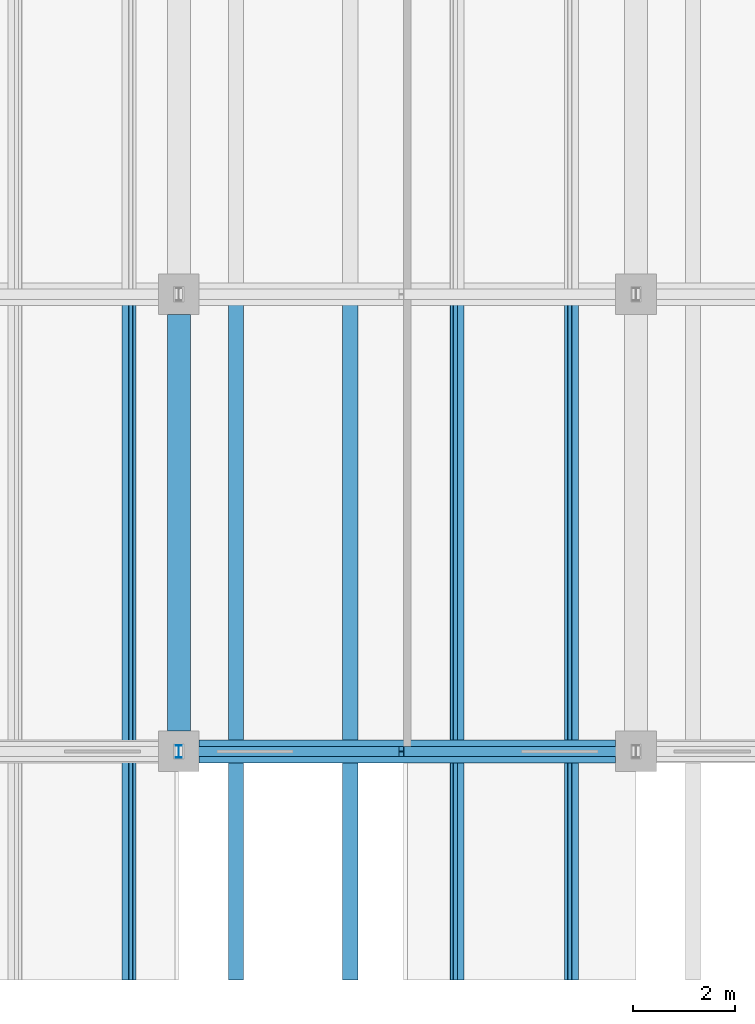
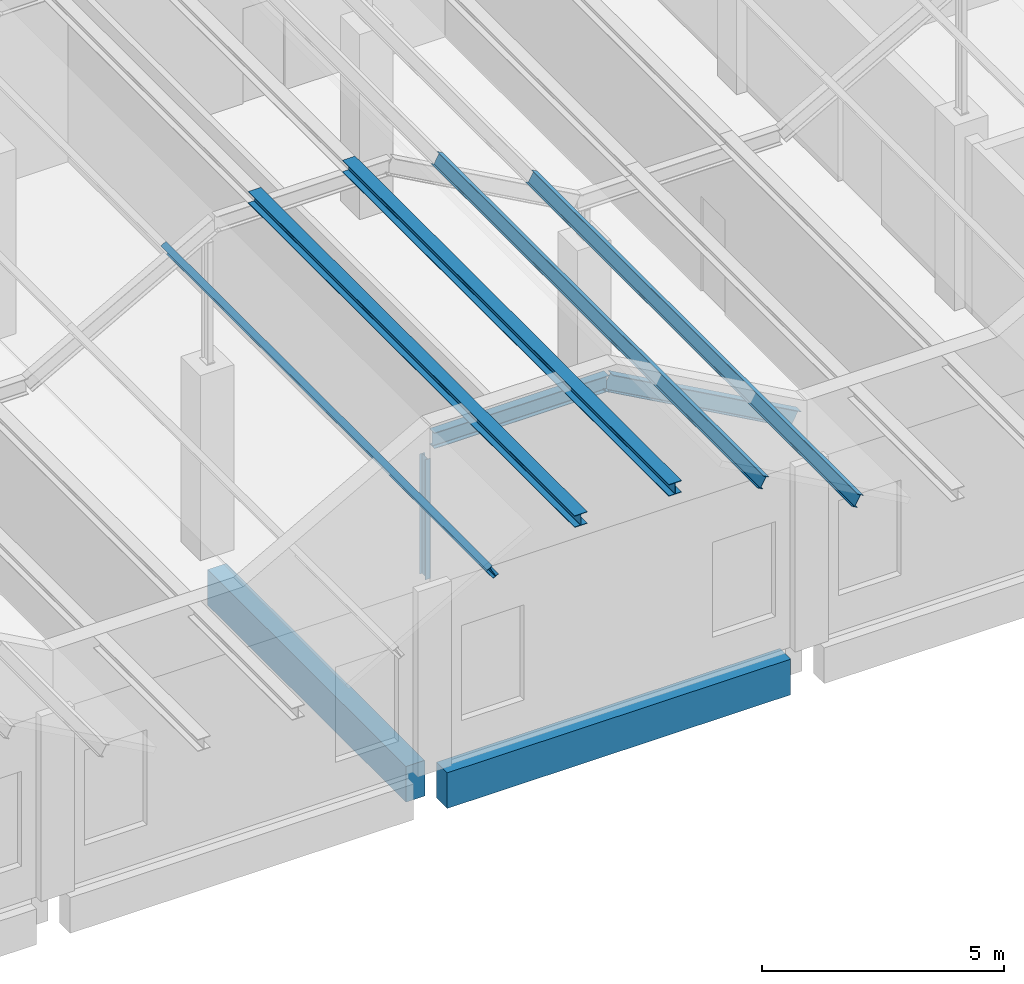
# One storey, part 19 of 437: 8 members, 2 beams.
"""IFC4 building model written with IfcOpenShell, lengths in metres."""

from ifc_helpers import new_model, si_unit, direction, frame, origin, origin_2d, place, context, subcontext, project, spatial, rectangle, i_section, extrude, material, material_profile, profile_set, type_object, element, save


model = new_model("IFC4")

# Units and contexts
model_context = context("Model", 3, precision=1e-05, world=origin(), true_north=direction((0.0, 1.0)))
body_context = subcontext(model_context, "Body", "Model", "MODEL_VIEW")
ifc_project = project(units=[si_unit("LENGTHUNIT", "METRE"), si_unit("AREAUNIT", "SQUARE_METRE"), si_unit("VOLUMEUNIT", "CUBIC_METRE"), si_unit("PLANEANGLEUNIT", "RADIAN"), si_unit("MASSUNIT", "GRAM", prefix="KILO")], contexts=[model_context])

# Site, building, storey
site_placement = place(None, origin())
site = spatial("IfcSite", under=ifc_project, at=site_placement, CompositionType="ELEMENT")
building_placement = place(site_placement, origin())
building = spatial("IfcBuilding", under=site, at=building_placement, Name="Opaline Strait Convention Centre", CompositionType="ELEMENT")
storey_placement = place(building_placement, frame((0.0, 0.0, 11.5)))
storey = spatial("IfcBuildingStorey", under=building, at=storey_placement, Name="L02", CompositionType="ELEMENT", Elevation=11.5)

# Members
ifc_material_1 = material(Name="Steel Q355B", Category="steel")
ifc_material_profile_1 = material_profile(ifc_material_1, i_section(OverallWidth=0.300048828125, OverallDepth=0.300048828125, WebThickness=0.010009765625, FlangeThickness=0.014892578125, FilletRadius=0.012939453125, at=origin_2d()), Name="HW 300x300x10x15")
ifc_profile_set_1 = profile_set([ifc_material_profile_1], Name="Steel Q355B")
member_type_1 = type_object("IfcMemberType", Name="Crest purlin HW 300x300x10x15", PredefinedType="PURLIN", material=ifc_profile_set_1)
for number, where, z_axis, x_axis, name in (
    (1, (46.125, 4.5, 8.449951171875), (0.0, 1.0, 0.0), (-1.0, 0.0, 0.0), "RU1 purlin facet 9 line 1"),
    (2, (48.375, 4.5, 8.449951171875), (0.0, 1.0, 0.0), (-1.0, 0.0, 0.0), "RU1 purlin facet 9 line 2"),
):
    element("IfcMember", number, at=place(storey_placement, frame(where, z_axis=z_axis, x_axis=x_axis)), inside=storey, type_object=member_type_1, Name=name, PredefinedType="PURLIN", context=body_context, shape_type="SweptSolid", body=[
        extrude(i_section(OverallWidth=0.300048828125, OverallDepth=0.300048828125, WebThickness=0.010009765625, FlangeThickness=0.014892578125, FilletRadius=0.012939453125, at=origin_2d()), origin(), (0.0, 0.0, 1.0), 13.5),
    ])

# Beams
ifc_material_2 = material(Name="Concrete C35", Category="concrete")
ifc_material_profile_2 = material_profile(ifc_material_2, rectangle(XDim=0.449951171875, YDim=0.89990234375, at=origin_2d()), Name="RC 450x900")
ifc_profile_set_2 = profile_set([ifc_material_profile_2], Name="Concrete C35")
beam_type = type_object("IfcBeamType", Name="RC beam 450x900 C35", PredefinedType="BEAM", material=ifc_profile_set_2)
for number, where, z_axis, x_axis, name in (
    (3, (45.39990234375, 9.0, -0.72998046875), (1.0, 0.0, 0.0), (0.0, 1.0, 0.0), "XB1 L02 45/9-54/9"),
    (4, (45.0, 9.39990234375, -0.72998046875), (0.0, 1.0, 0.0), (-1.0, 0.0, 0.0), "XB1 L02 45/9-45/18"),
):
    element("IfcBeam", number, at=place(storey_placement, frame(where, z_axis=z_axis, x_axis=x_axis)), inside=storey, type_object=beam_type, Name=name, PredefinedType="BEAM", context=body_context, shape_type="SweptSolid", body=[
        extrude(rectangle(XDim=0.449951171875, YDim=0.89990234375, at=origin_2d()), origin(), (0.0, 0.0, 1.0), 8.2001953125),
    ])

# Members
ifc_material_profile_3 = material_profile(ifc_material_1, i_section(OverallWidth=0.125, OverallDepth=0.25, WebThickness=0.006103515625, FlangeThickness=0.009033203125, FilletRadius=0.008056640625, at=origin_2d()), Name="HN 250x125x6x9")
ifc_profile_set_3 = profile_set([ifc_material_profile_3], Name="Steel Q355B")
member_type_2 = type_object("IfcMemberType", Name="Roof post HN 250x125x6x9", PredefinedType="STRUT", material=ifc_profile_set_3)
member_1_placement = place(storey_placement, frame((45.0, 9.0, 4.68994140625), z_axis=(0.0, 0.0, 1.0), x_axis=(1.0, 0.0, 0.0)))
element("IfcMember", 5, at=member_1_placement, inside=storey, type_object=member_type_2, Name="RP1 roof post at 45/9", PredefinedType="STRUT", context=body_context, shape_type="SweptSolid", body=[
    extrude(i_section(OverallWidth=0.125, OverallDepth=0.25, WebThickness=0.006103515625, FlangeThickness=0.009033203125, FilletRadius=0.008056640625, at=origin_2d()), origin(), (0.0, 0.0, 1.0), 3.031005859375),
])
ifc_material_profile_4 = material_profile(ifc_material_1, i_section(OverallWidth=0.14990234375, OverallDepth=0.300048828125, WebThickness=0.006591796875, FlangeThickness=0.009033203125, FilletRadius=0.012939453125, at=origin_2d()), Name="HN 300x150x6.5x9")
ifc_profile_set_4 = profile_set([ifc_material_profile_4], Name="Steel Q355B")
member_type_3 = type_object("IfcMemberType", Name="Roof purlin HN 300x150x6.5x9", PredefinedType="PURLIN", material=ifc_profile_set_4)
for number, where, z_axis, x_axis, name in (
    (6, (44.020751953125, 4.5, 7.86279296875), (0.0, 1.0, 0.0), (-0.874157310866, 0.0, -0.485642868639), "RU1 purlin facet 8 line 2"),
    (7, (50.479248046875, 4.5, 7.86279296875), (0.0, 1.0, 0.0), (-0.874157310866, 0.0, 0.485642868639), "RU1 purlin facet 10 line 1"),
    (8, (52.729248046875, 4.5, 6.61279296875), (0.0, 1.0, 0.0), (-0.874157310866, 0.0, 0.485642868639), "RU1 purlin facet 10 line 2"),
):
    element("IfcMember", number, at=place(storey_placement, frame(where, z_axis=z_axis, x_axis=x_axis)), inside=storey, type_object=member_type_3, Name=name, PredefinedType="PURLIN", context=body_context, shape_type="SweptSolid", body=[
        extrude(i_section(OverallWidth=0.14990234375, OverallDepth=0.300048828125, WebThickness=0.006591796875, FlangeThickness=0.009033203125, FilletRadius=0.012939453125, at=origin_2d()), origin(), (0.0, 0.0, 1.0), 13.5),
    ])
ifc_material_profile_5 = material_profile(ifc_material_1, i_section(OverallWidth=0.199951171875, OverallDepth=0.39990234375, WebThickness=0.008056640625, FlangeThickness=0.012939453125, FilletRadius=0.012939453125, at=origin_2d()), Name="HN 400x200x8x13")
ifc_profile_set_5 = profile_set([ifc_material_profile_5], Name="Steel Q355B")
member_type_4 = type_object("IfcMemberType", Name="Roof rafter HN 400x200x8x13", PredefinedType="RAFTER", material=ifc_profile_set_5)
member_2_placement = place(storey_placement, frame((45.16845703125, 9.0, 8.10009765625), z_axis=(1.0, 0.0, 0.0), x_axis=(0.0, 1.0, 0.0)))
element("IfcMember", 9, at=member_2_placement, inside=storey, type_object=member_type_4, Name="RR1 rafter line 1 facet 10", PredefinedType="RAFTER", context=body_context, shape_type="SweptSolid", body=[
    extrude(i_section(OverallWidth=0.199951171875, OverallDepth=0.39990234375, WebThickness=0.008056640625, FlangeThickness=0.012939453125, FilletRadius=0.012939453125, at=origin_2d()), origin(), (0.0, 0.0, 1.0), 4.1630859375),
])
member_3_placement = place(storey_placement, frame((49.33154296875, 9.0, 8.10009765625), z_axis=(0.874157276122, 0.0, -0.485642931179), x_axis=(0.0, 1.0, 0.0)))
element("IfcMember", 10, at=member_3_placement, inside=storey, type_object=member_type_4, Name="RR1 rafter line 1 facet 11", PredefinedType="RAFTER", context=body_context, shape_type="SweptSolid", body=[
    extrude(i_section(OverallWidth=0.199951171875, OverallDepth=0.39990234375, WebThickness=0.008056640625, FlangeThickness=0.012939453125, FilletRadius=0.012939453125, at=origin_2d()), origin(), (0.0, 0.0, 1.0), 5.147705078125),
])

save(model, "model.ifc")
